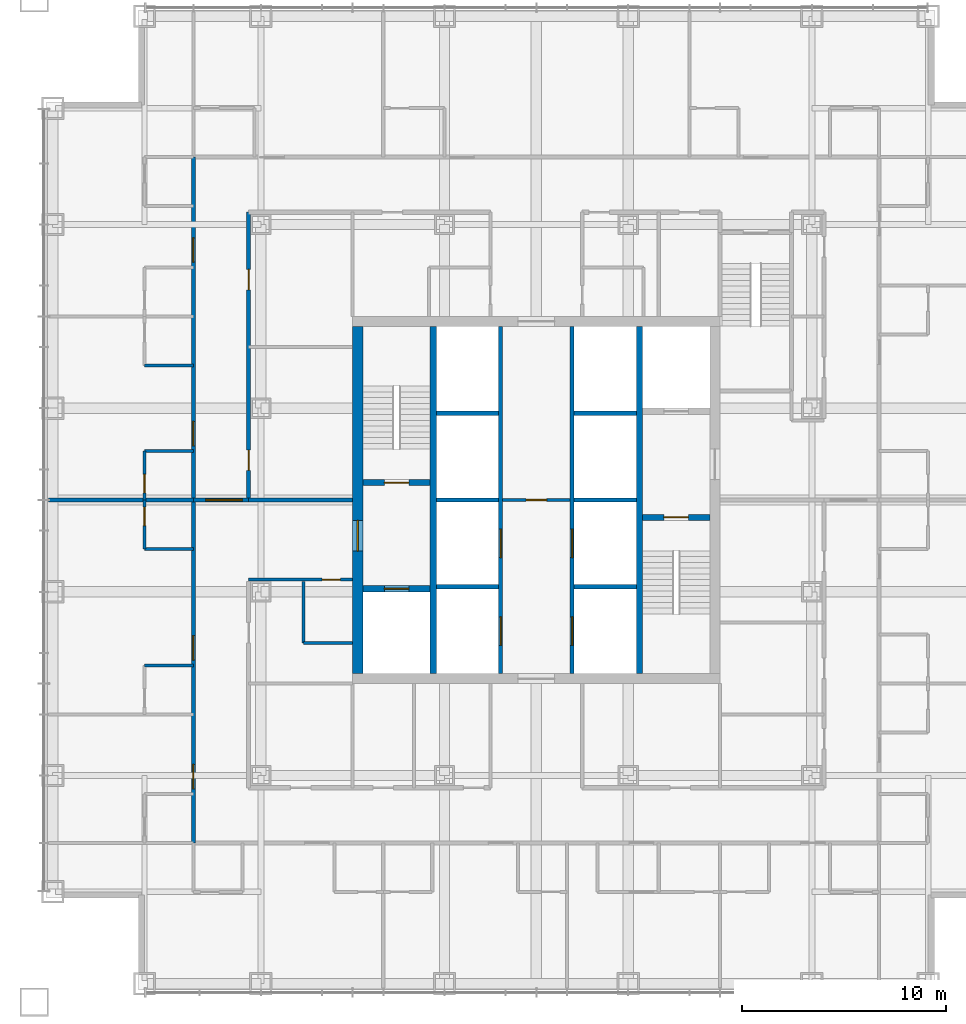
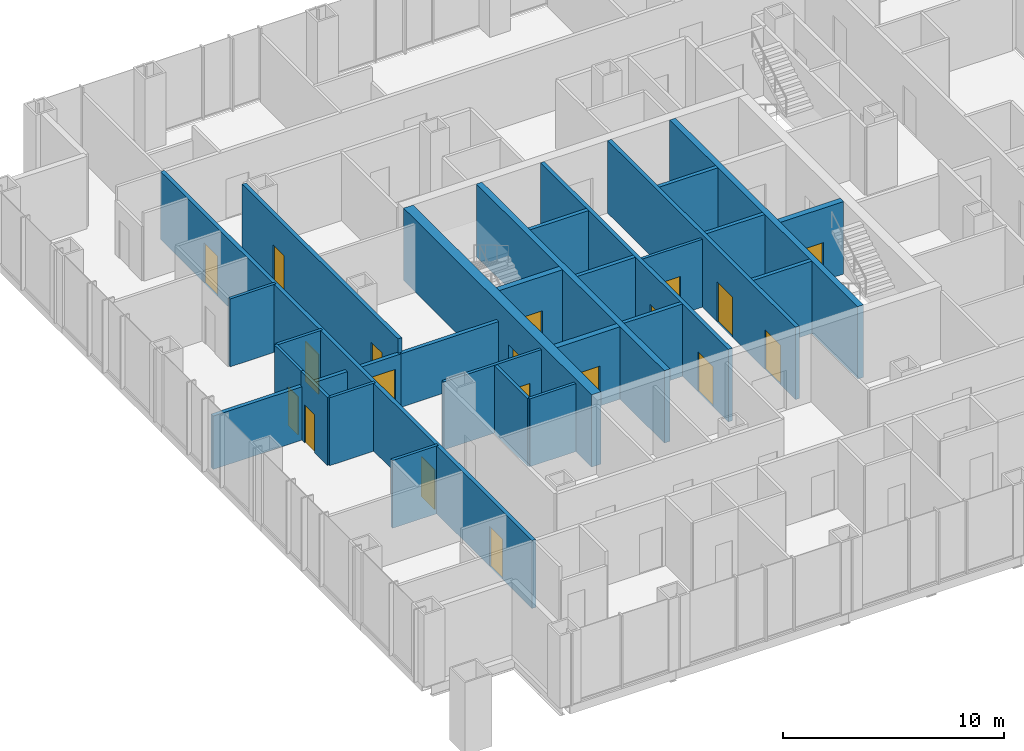
# One storey, part 8 of 12: 29 walls, 19 doors, 19 openings.
"""IFC4 building model written with IfcOpenShell, lengths in metres."""

from ifc_helpers import new_model, si_unit, direction, frame, frame_2d, origin, place, context, subcontext, project, spatial, rectangle, extrude, material, layer, layer_set, type_object, element, fill, save


model = new_model("IFC4")

# Units and contexts
model_context = context("Model", 3, precision=1e-05, world=origin(), true_north=direction((0.0, 1.0)))
body_context = subcontext(model_context, "Body", "Model", "MODEL_VIEW")
ifc_project = project(units=[si_unit("LENGTHUNIT", "METRE"), si_unit("AREAUNIT", "SQUARE_METRE"), si_unit("VOLUMEUNIT", "CUBIC_METRE"), si_unit("PLANEANGLEUNIT", "RADIAN"), si_unit("MASSUNIT", "GRAM", prefix="KILO")], contexts=[model_context])

# Site, building, storey
site_placement = place(None, origin())
site = spatial("IfcSite", under=ifc_project, at=site_placement, CompositionType="ELEMENT")
building_placement = place(site_placement, origin())
building = spatial("IfcBuilding", under=site, at=building_placement, Name="Malebo Sky Hospital", CompositionType="ELEMENT")
storey_placement = place(building_placement, frame((0.0, 0.0, 136.0)))
storey = spatial("IfcBuildingStorey", under=building, at=storey_placement, Name="L32", CompositionType="ELEMENT", Elevation=136.0)

# Wall, openings, doors
ifc_material_1 = material(Name="Concrete C80/95", Category="concrete")
ifc_layer_1 = layer(ifc_material_1, 0.199951171875)
ifc_layer_set_1 = layer_set([ifc_layer_1], Name="CORE INNER WALL 200")
wall_type_1 = type_object("IfcWallType", Name="CORE INNER WALL 200", PredefinedType="SHEAR", material=ifc_layer_set_1)
wall_1_placement = place(storey_placement, frame((58.25, 53.5, 0.0), z_axis=(0.0, 0.0, 1.0), x_axis=(0.0, 1.0, 0.0)))
wall_1 = element("IfcWall", 1, at=wall_1_placement, inside=storey, type_object=wall_type_1, Name="Core wall LW L32", PredefinedType="SHEAR", context=body_context, shape_type="SweptSolid", body=[
    extrude(rectangle(XDim=17.0, YDim=0.199951171875, at=frame_2d((8.5, 0.0))), origin(), (0.0, 0.0, 1.0), 4.0),
])
opening_1_placement = place(wall_1_placement, frame((1.375, 0.0, 0.0)))
opening_1 = element("IfcOpeningElement", 2, at=opening_1_placement, cuts=wall_1, Name="Opening LD1", PredefinedType="OPENING", context=body_context, shape_type="SweptSolid", body=[
    extrude(rectangle(XDim=1.39990234375, YDim=2.199951171875, at=frame_2d((0.699951171875, 1.10009765625))), frame((0.0, 0.10986328125, 0.0), z_axis=(0.0, -1.0, 0.0), x_axis=(1.0, 0.0, 0.0)), (0.0, 0.0, 1.0), 0.219970703125),
])
opening_2_placement = place(wall_1_placement, frame((5.675048828125, 0.0, 0.0)))
opening_2 = element("IfcOpeningElement", 3, at=opening_2_placement, cuts=wall_1, Name="Opening LD1", PredefinedType="OPENING", context=body_context, shape_type="SweptSolid", body=[
    extrude(rectangle(XDim=1.39990234375, YDim=2.199951171875, at=frame_2d((0.699951171875, 1.10009765625))), frame((0.0, 0.10986328125, 0.0), z_axis=(0.0, -1.0, 0.0), x_axis=(1.0, 0.0, 0.0)), (0.0, 0.0, 1.0), 0.219970703125),
])
ifc_material_2 = material(Name="Stainless steel sliding landing door", Category="steel")
door_type_1 = type_object("IfcDoorType", Name="LIFT LANDING DOOR 1400", OperationType="SLIDING_TO_LEFT", PredefinedType="DOOR", material=ifc_material_2)
door_1_placement = place(opening_1_placement, origin())
door_1 = element("IfcDoor", 4, at=door_1_placement, inside=storey, type_object=door_type_1, Name="Lift W1 landing door", OperationType="SLIDING_TO_LEFT", OverallHeight=2.199951171875, OverallWidth=1.39990234375, PredefinedType="DOOR", context=body_context, shape_type="SweptSolid", body=[
    extrude(rectangle(XDim=1.39990234375, YDim=2.199951171875, at=frame_2d((0.699951171875, 1.10009765625))), frame((0.0, 0.02490234375, 0.0), z_axis=(0.0, -1.0, 0.0), x_axis=(1.0, 0.0, 0.0)), (0.0, 0.0, 1.0), 0.050048828125),
])
fill(opening_1, door_1)
door_2_placement = place(opening_2_placement, origin())
door_2 = element("IfcDoor", 5, at=door_2_placement, inside=storey, type_object=door_type_1, Name="Lift W2 landing door", OperationType="SLIDING_TO_LEFT", OverallHeight=2.199951171875, OverallWidth=1.39990234375, PredefinedType="DOOR", context=body_context, shape_type="SweptSolid", body=[
    extrude(rectangle(XDim=1.39990234375, YDim=2.199951171875, at=frame_2d((0.699951171875, 1.10009765625))), frame((0.0, 0.02490234375, 0.0), z_axis=(0.0, -1.0, 0.0), x_axis=(1.0, 0.0, 0.0)), (0.0, 0.0, 1.0), 0.050048828125),
])
fill(opening_2, door_2)

wall_2_placement = place(storey_placement, frame((61.75, 53.5, 0.0), z_axis=(0.0, 0.0, 1.0), x_axis=(0.0, 1.0, 0.0)))
wall_2 = element("IfcWall", 6, at=wall_2_placement, inside=storey, type_object=wall_type_1, Name="Core wall LE L32", PredefinedType="SHEAR", context=body_context, shape_type="SweptSolid", body=[
    extrude(rectangle(XDim=17.0, YDim=0.199951171875, at=frame_2d((8.5, 0.0))), origin(), (0.0, 0.0, 1.0), 4.0),
])
opening_3_placement = place(wall_2_placement, frame((1.375, 0.0, 0.0)))
opening_3 = element("IfcOpeningElement", 7, at=opening_3_placement, cuts=wall_2, Name="Opening LD1", PredefinedType="OPENING", context=body_context, shape_type="SweptSolid", body=[
    extrude(rectangle(XDim=1.39990234375, YDim=2.199951171875, at=frame_2d((0.699951171875, 1.10009765625))), frame((0.0, 0.10986328125, 0.0), z_axis=(0.0, -1.0, 0.0), x_axis=(1.0, 0.0, 0.0)), (0.0, 0.0, 1.0), 0.219970703125),
])
opening_4_placement = place(wall_2_placement, frame((5.675048828125, 0.0, 0.0)))
opening_4 = element("IfcOpeningElement", 8, at=opening_4_placement, cuts=wall_2, Name="Opening LD1", PredefinedType="OPENING", context=body_context, shape_type="SweptSolid", body=[
    extrude(rectangle(XDim=1.39990234375, YDim=2.199951171875, at=frame_2d((0.699951171875, 1.10009765625))), frame((0.0, 0.10986328125, 0.0), z_axis=(0.0, -1.0, 0.0), x_axis=(1.0, 0.0, 0.0)), (0.0, 0.0, 1.0), 0.219970703125),
])
door_3_placement = place(opening_3_placement, origin())
door_3 = element("IfcDoor", 9, at=door_3_placement, inside=storey, type_object=door_type_1, Name="Lift E1 landing door", OperationType="SLIDING_TO_LEFT", OverallHeight=2.199951171875, OverallWidth=1.39990234375, PredefinedType="DOOR", context=body_context, shape_type="SweptSolid", body=[
    extrude(rectangle(XDim=1.39990234375, YDim=2.199951171875, at=frame_2d((0.699951171875, 1.10009765625))), frame((0.0, 0.02490234375, 0.0), z_axis=(0.0, -1.0, 0.0), x_axis=(1.0, 0.0, 0.0)), (0.0, 0.0, 1.0), 0.050048828125),
])
fill(opening_3, door_3)
door_4_placement = place(opening_4_placement, origin())
door_4 = element("IfcDoor", 10, at=door_4_placement, inside=storey, type_object=door_type_1, Name="Lift E2 landing door", OperationType="SLIDING_TO_LEFT", OverallHeight=2.199951171875, OverallWidth=1.39990234375, PredefinedType="DOOR", context=body_context, shape_type="SweptSolid", body=[
    extrude(rectangle(XDim=1.39990234375, YDim=2.199951171875, at=frame_2d((0.699951171875, 1.10009765625))), frame((0.0, 0.02490234375, 0.0), z_axis=(0.0, -1.0, 0.0), x_axis=(1.0, 0.0, 0.0)), (0.0, 0.0, 1.0), 0.050048828125),
])
fill(opening_4, door_4)

# Walls
for number, where, z_axis, x_axis, name in (
    (11, (55.10009765625, 57.75, 0.0), (0.0, 0.0, 1.0), (1.0, 0.0, 0.0), "Core wall SW0 L32"),
    (12, (61.85009765625, 57.75, 0.0), (0.0, 0.0, 1.0), (1.0, 0.0, 0.0), "Core wall SE0 L32"),
    (13, (55.10009765625, 62.0, 0.0), (0.0, 0.0, 1.0), (1.0, 0.0, 0.0), "Core wall SW1 L32"),
    (14, (61.85009765625, 62.0, 0.0), (0.0, 0.0, 1.0), (1.0, 0.0, 0.0), "Core wall SE1 L32"),
    (15, (55.10009765625, 66.25, 0.0), (0.0, 0.0, 1.0), (1.0, 0.0, 0.0), "Core wall SW2 L32"),
    (16, (61.85009765625, 66.25, 0.0), (0.0, 0.0, 1.0), (1.0, 0.0, 0.0), "Core wall SE2 L32"),
):
    element("IfcWall", number, at=place(storey_placement, frame(where, z_axis=z_axis, x_axis=x_axis)), inside=storey, type_object=wall_type_1, Name=name, PredefinedType="SHEAR", context=body_context, shape_type="SweptSolid", body=[
        extrude(rectangle(XDim=3.0498046875, YDim=0.199951171875, at=frame_2d((1.52490234375, 0.0))), origin(), (0.0, 0.0, 1.0), 4.0),
    ])
ifc_layer_2 = layer(ifc_material_1, 0.300048828125)
ifc_layer_set_2 = layer_set([ifc_layer_2], Name="CORE INNER WALL 300")
wall_type_2 = type_object("IfcWallType", Name="CORE INNER WALL 300", PredefinedType="SHEAR", material=ifc_layer_set_2)
for number, where, z_axis, x_axis, name in (
    (17, (54.949951171875, 53.5, 0.0), (0.0, 0.0, 1.0), (0.0, 1.0, 0.0), "Core wall XW L32"),
    (18, (65.050048828125, 53.5, 0.0), (0.0, 0.0, 1.0), (0.0, 1.0, 0.0), "Core wall XE L32"),
):
    element("IfcWall", number, at=place(storey_placement, frame(where, z_axis=z_axis, x_axis=x_axis)), inside=storey, type_object=wall_type_2, Name=name, PredefinedType="SHEAR", context=body_context, shape_type="SweptSolid", body=[
        extrude(rectangle(XDim=17.0, YDim=0.300048828125, at=frame_2d((8.5, 0.0))), origin(), (0.0, 0.0, 1.0), 4.0),
    ])

# Wall, opening, door
wall_3_placement = place(storey_placement, frame((51.5, 62.85009765625, 0.0), z_axis=(0.0, 0.0, 1.0), x_axis=(1.0, 0.0, 0.0)))
wall_3 = element("IfcWall", 19, at=wall_3_placement, inside=storey, type_object=wall_type_2, Name="Core wall W1 L32", PredefinedType="SHEAR", context=body_context, shape_type="SweptSolid", body=[
    extrude(rectangle(XDim=3.300048828125, YDim=0.300048828125, at=frame_2d((1.64990234375, 0.0))), origin(), (0.0, 0.0, 1.0), 4.0),
])
opening_5_placement = place(wall_3_placement, frame((1.050048828125, 0.0, 0.0)))
opening_5 = element("IfcOpeningElement", 20, at=opening_5_placement, cuts=wall_3, Name="Opening D08", PredefinedType="OPENING", context=body_context, shape_type="SweptSolid", body=[
    extrude(rectangle(XDim=1.199951171875, YDim=2.10009765625, at=frame_2d((0.60009765625, 1.050048828125))), frame((0.0, 0.159912109375, 0.0), z_axis=(0.0, -1.0, 0.0), x_axis=(1.0, 0.0, 0.0)), (0.0, 0.0, 1.0), 0.320068359375),
])
ifc_material_3 = material(Name="Hardwood-faced door leaf in steel frame", Category="steel")
door_type_2 = type_object("IfcDoorType", Name="STAIR DOOR 1200", OperationType="SINGLE_SWING_LEFT", PredefinedType="DOOR", material=ifc_material_3)
door_5_placement = place(opening_5_placement, origin())
door_5 = element("IfcDoor", 21, at=door_5_placement, inside=storey, type_object=door_type_2, Name="Stair S1 door", OperationType="SINGLE_SWING_LEFT", OverallHeight=2.10009765625, OverallWidth=1.199951171875, PredefinedType="DOOR", context=body_context, shape_type="SweptSolid", body=[
    extrude(rectangle(XDim=1.199951171875, YDim=2.10009765625, at=frame_2d((0.60009765625, 1.050048828125))), frame((0.0, 0.02490234375, 0.0), z_axis=(0.0, -1.0, 0.0), x_axis=(1.0, 0.0, 0.0)), (0.0, 0.0, 1.0), 0.050048828125),
])
fill(opening_5, door_5)

wall_4_placement = place(storey_placement, frame((51.5, 57.64990234375, 0.0), z_axis=(0.0, 0.0, 1.0), x_axis=(1.0, 0.0, 0.0)))
wall_4 = element("IfcWall", 22, at=wall_4_placement, inside=storey, type_object=wall_type_2, Name="Core wall W2 L32", PredefinedType="SHEAR", context=body_context, shape_type="SweptSolid", body=[
    extrude(rectangle(XDim=3.300048828125, YDim=0.300048828125, at=frame_2d((1.64990234375, 0.0))), origin(), (0.0, 0.0, 1.0), 4.0),
])
opening_6_placement = place(wall_4_placement, frame((1.050048828125, 0.0, 0.0)))
opening_6 = element("IfcOpeningElement", 23, at=opening_6_placement, cuts=wall_4, Name="Opening LD2", PredefinedType="OPENING", context=body_context, shape_type="SweptSolid", body=[
    extrude(rectangle(XDim=1.199951171875, YDim=2.199951171875, at=frame_2d((0.60009765625, 1.10009765625))), frame((0.0, 0.159912109375, 0.0), z_axis=(0.0, -1.0, 0.0), x_axis=(1.0, 0.0, 0.0)), (0.0, 0.0, 1.0), 0.320068359375),
])
door_type_3 = type_object("IfcDoorType", Name="FIRE-FIGHTING LIFT LANDING DOOR 1200", OperationType="SLIDING_TO_LEFT", PredefinedType="DOOR", material=ifc_material_2)
door_6_placement = place(opening_6_placement, origin())
door_6 = element("IfcDoor", 24, at=door_6_placement, inside=storey, type_object=door_type_3, Name="Lift FL1 landing door", OperationType="SLIDING_TO_LEFT", OverallHeight=2.199951171875, OverallWidth=1.199951171875, PredefinedType="DOOR", context=body_context, shape_type="SweptSolid", body=[
    extrude(rectangle(XDim=1.199951171875, YDim=2.199951171875, at=frame_2d((0.60009765625, 1.10009765625))), frame((0.0, 0.02490234375, 0.0), z_axis=(0.0, -1.0, 0.0), x_axis=(1.0, 0.0, 0.0)), (0.0, 0.0, 1.0), 0.050048828125),
])
fill(opening_6, door_6)

wall_5_placement = place(storey_placement, frame((65.199951171875, 61.14990234375, 0.0), z_axis=(0.0, 0.0, 1.0), x_axis=(1.0, 0.0, 0.0)))
wall_5 = element("IfcWall", 25, at=wall_5_placement, inside=storey, type_object=wall_type_2, Name="Core wall E1 L32", PredefinedType="SHEAR", context=body_context, shape_type="SweptSolid", body=[
    extrude(rectangle(XDim=3.300048828125, YDim=0.300048828125, at=frame_2d((1.64990234375, 0.0))), origin(), (0.0, 0.0, 1.0), 4.0),
])
opening_7_placement = place(wall_5_placement, frame((1.050048828125, 0.0, 0.0)))
opening_7 = element("IfcOpeningElement", 26, at=opening_7_placement, cuts=wall_5, Name="Opening D08", PredefinedType="OPENING", context=body_context, shape_type="SweptSolid", body=[
    extrude(rectangle(XDim=1.199951171875, YDim=2.10009765625, at=frame_2d((0.60009765625, 1.050048828125))), frame((0.0, 0.159912109375, 0.0), z_axis=(0.0, -1.0, 0.0), x_axis=(1.0, 0.0, 0.0)), (0.0, 0.0, 1.0), 0.320068359375),
])
door_7_placement = place(opening_7_placement, origin())
door_7 = element("IfcDoor", 27, at=door_7_placement, inside=storey, type_object=door_type_2, Name="Stair S2 door", OperationType="SINGLE_SWING_LEFT", OverallHeight=2.10009765625, OverallWidth=1.199951171875, PredefinedType="DOOR", context=body_context, shape_type="SweptSolid", body=[
    extrude(rectangle(XDim=1.199951171875, YDim=2.10009765625, at=frame_2d((0.60009765625, 1.050048828125))), frame((0.0, 0.02490234375, 0.0), z_axis=(0.0, -1.0, 0.0), x_axis=(1.0, 0.0, 0.0)), (0.0, 0.0, 1.0), 0.050048828125),
])
fill(opening_7, door_7)

ifc_layer_3 = layer(ifc_material_1, 0.5)
ifc_layer_set_3 = layer_set([ifc_layer_3], Name="CORE WALL 500")
wall_type_3 = type_object("IfcWallType", Name="CORE WALL 500", PredefinedType="SHEAR", material=ifc_layer_set_3)
wall_6_placement = place(storey_placement, frame((51.25, 53.5, 0.0), z_axis=(0.0, 0.0, 1.0), x_axis=(0.0, 1.0, 0.0)))
wall_6 = element("IfcWall", 28, at=wall_6_placement, inside=storey, type_object=wall_type_3, Name="Core wall W L32", PredefinedType="SHEAR", context=body_context, shape_type="SweptSolid", body=[
    extrude(rectangle(XDim=17.0, YDim=0.5, at=frame_2d((8.5, 0.0))), origin(), (0.0, 0.0, 1.0), 4.0),
])
opening_8_placement = place(wall_6_placement, frame((6.0, 0.0, 0.0)))
opening_8 = element("IfcOpeningElement", 29, at=opening_8_placement, cuts=wall_6, Name="Opening D07", PredefinedType="OPENING", context=body_context, shape_type="SweptSolid", body=[
    extrude(rectangle(XDim=1.5, YDim=2.199951171875, at=frame_2d((0.75, 1.10009765625))), frame((0.0, 0.260009765625, 0.0), z_axis=(0.0, -1.0, 0.0), x_axis=(1.0, 0.0, 0.0)), (0.0, 0.0, 1.0), 0.52001953125),
])
door_type_4 = type_object("IfcDoorType", Name="FIRE-FIGHTING LOBBY DOOR PAIR 1500", OperationType="DOUBLE_DOOR_SINGLE_SWING", PredefinedType="DOOR", material=ifc_material_3)
door_8_placement = place(opening_8_placement, origin())
door_8 = element("IfcDoor", 30, at=door_8_placement, inside=storey, type_object=door_type_4, Name="Fire-fighting lobby door west", OperationType="DOUBLE_DOOR_SINGLE_SWING", OverallHeight=2.199951171875, OverallWidth=1.5, PredefinedType="DOOR", context=body_context, shape_type="SweptSolid", body=[
    extrude(rectangle(XDim=1.5, YDim=2.199951171875, at=frame_2d((0.75, 1.10009765625))), frame((0.0, 0.02490234375, 0.0), z_axis=(0.0, -1.0, 0.0), x_axis=(1.0, 0.0, 0.0)), (0.0, 0.0, 1.0), 0.050048828125),
])
fill(opening_8, door_8)

# Wall, openings, doors
ifc_material_4 = material(Name="Gypsum board on steel studs", Category="steel")
ifc_layer_4 = layer(ifc_material_4, 0.199951171875)
ifc_layer_set_4 = layer_set([ifc_layer_4], Name="CORRIDOR WALL 200")
wall_type_4 = type_object("IfcWallType", Name="CORRIDOR WALL 200", PredefinedType="PARTITIONING", material=ifc_layer_set_4)
wall_7_placement = place(storey_placement, frame((43.199951171875, 45.199951171875, 0.0), z_axis=(0.0, 0.0, 1.0), x_axis=(0.0, 1.0, 0.0)))
wall_7 = element("IfcWall", 31, at=wall_7_placement, inside=storey, type_object=wall_type_4, Name="Corridor Wall 200 WCO", PredefinedType="PARTITIONING", context=body_context, shape_type="SweptSolid", body=[
    extrude(rectangle(XDim=33.60009765625, YDim=0.199951171875, at=frame_2d((16.800048828125, 0.0))), origin(), (0.0, 0.0, 1.0), 3.75),
])
opening_9_placement = place(wall_7_placement, frame((2.64990234375, 0.0, 0.0)))
opening_9 = element("IfcOpeningElement", 32, at=opening_9_placement, cuts=wall_7, Name="Opening D01", PredefinedType="OPENING", context=body_context, shape_type="SweptSolid", body=[
    extrude(rectangle(XDim=1.199951171875, YDim=2.199951171875, at=frame_2d((0.60009765625, 1.10009765625))), frame((0.0, 0.10986328125, 0.0), z_axis=(0.0, -1.0, 0.0), x_axis=(1.0, 0.0, 0.0)), (0.0, 0.0, 1.0), 0.219970703125),
])
opening_10_placement = place(wall_7_placement, frame((8.949951171875, 0.0, 0.0)))
opening_10 = element("IfcOpeningElement", 33, at=opening_10_placement, cuts=wall_7, Name="Opening D01", PredefinedType="OPENING", context=body_context, shape_type="SweptSolid", body=[
    extrude(rectangle(XDim=1.199951171875, YDim=2.199951171875, at=frame_2d((0.60009765625, 1.10009765625))), frame((0.0, 0.10986328125, 0.0), z_axis=(0.0, -1.0, 0.0), x_axis=(1.0, 0.0, 0.0)), (0.0, 0.0, 1.0), 0.219970703125),
])
opening_11_placement = place(wall_7_placement, frame((19.449951171875, 0.0, 0.0)))
opening_11 = element("IfcOpeningElement", 34, at=opening_11_placement, cuts=wall_7, Name="Opening D01", PredefinedType="OPENING", context=body_context, shape_type="SweptSolid", body=[
    extrude(rectangle(XDim=1.199951171875, YDim=2.199951171875, at=frame_2d((0.60009765625, 1.10009765625))), frame((0.0, 0.10986328125, 0.0), z_axis=(0.0, -1.0, 0.0), x_axis=(1.0, 0.0, 0.0)), (0.0, 0.0, 1.0), 0.219970703125),
])
opening_12_placement = place(wall_7_placement, frame((28.449951171875, 0.0, 0.0)))
opening_12 = element("IfcOpeningElement", 35, at=opening_12_placement, cuts=wall_7, Name="Opening D01", PredefinedType="OPENING", context=body_context, shape_type="SweptSolid", body=[
    extrude(rectangle(XDim=1.199951171875, YDim=2.199951171875, at=frame_2d((0.60009765625, 1.10009765625))), frame((0.0, 0.10986328125, 0.0), z_axis=(0.0, -1.0, 0.0), x_axis=(1.0, 0.0, 0.0)), (0.0, 0.0, 1.0), 0.219970703125),
])
door_type_5 = type_object("IfcDoorType", Name="BED DOOR 1200", OperationType="SINGLE_SWING_LEFT", PredefinedType="DOOR", material=ifc_material_3)
door_9_placement = place(opening_9_placement, origin())
door_9 = element("IfcDoor", 36, at=door_9_placement, inside=storey, type_object=door_type_5, Name="Single bed room door", OperationType="SINGLE_SWING_LEFT", OverallHeight=2.199951171875, OverallWidth=1.199951171875, PredefinedType="DOOR", context=body_context, shape_type="SweptSolid", body=[
    extrude(rectangle(XDim=1.199951171875, YDim=2.199951171875, at=frame_2d((0.60009765625, 1.10009765625))), frame((0.0, 0.02490234375, 0.0), z_axis=(0.0, -1.0, 0.0), x_axis=(1.0, 0.0, 0.0)), (0.0, 0.0, 1.0), 0.050048828125),
])
fill(opening_9, door_9)
door_10_placement = place(opening_10_placement, origin())
door_10 = element("IfcDoor", 37, at=door_10_placement, inside=storey, type_object=door_type_5, Name="Four-bed bay door", OperationType="SINGLE_SWING_LEFT", OverallHeight=2.199951171875, OverallWidth=1.199951171875, PredefinedType="DOOR", context=body_context, shape_type="SweptSolid", body=[
    extrude(rectangle(XDim=1.199951171875, YDim=2.199951171875, at=frame_2d((0.60009765625, 1.10009765625))), frame((0.0, 0.02490234375, 0.0), z_axis=(0.0, -1.0, 0.0), x_axis=(1.0, 0.0, 0.0)), (0.0, 0.0, 1.0), 0.050048828125),
])
fill(opening_10, door_10)
door_11_placement = place(opening_11_placement, origin())
door_11 = element("IfcDoor", 38, at=door_11_placement, inside=storey, type_object=door_type_5, Name="Four-bed bay door", OperationType="SINGLE_SWING_LEFT", OverallHeight=2.199951171875, OverallWidth=1.199951171875, PredefinedType="DOOR", context=body_context, shape_type="SweptSolid", body=[
    extrude(rectangle(XDim=1.199951171875, YDim=2.199951171875, at=frame_2d((0.60009765625, 1.10009765625))), frame((0.0, 0.02490234375, 0.0), z_axis=(0.0, -1.0, 0.0), x_axis=(1.0, 0.0, 0.0)), (0.0, 0.0, 1.0), 0.050048828125),
])
fill(opening_11, door_11)
door_12_placement = place(opening_12_placement, origin())
door_12 = element("IfcDoor", 39, at=door_12_placement, inside=storey, type_object=door_type_5, Name="Four-bed bay door", OperationType="SINGLE_SWING_LEFT", OverallHeight=2.199951171875, OverallWidth=1.199951171875, PredefinedType="DOOR", context=body_context, shape_type="SweptSolid", body=[
    extrude(rectangle(XDim=1.199951171875, YDim=2.199951171875, at=frame_2d((0.60009765625, 1.10009765625))), frame((0.0, 0.02490234375, 0.0), z_axis=(0.0, -1.0, 0.0), x_axis=(1.0, 0.0, 0.0)), (0.0, 0.0, 1.0), 0.050048828125),
])
fill(opening_12, door_12)

wall_8_placement = place(storey_placement, frame((45.89990234375, 62.0, 0.0), z_axis=(0.0, 0.0, 1.0), x_axis=(0.0, 1.0, 0.0)))
wall_8 = element("IfcWall", 40, at=wall_8_placement, inside=storey, type_object=wall_type_4, Name="Corridor Wall 200 WCI2", PredefinedType="PARTITIONING", context=body_context, shape_type="SweptSolid", body=[
    extrude(rectangle(XDim=14.10009765625, YDim=0.199951171875, at=frame_2d((7.050048828125, 0.0))), origin(), (0.0, 0.0, 1.0), 3.75),
])
opening_13_placement = place(wall_8_placement, frame((1.449951171875, 0.0, 0.0)))
opening_13 = element("IfcOpeningElement", 41, at=opening_13_placement, cuts=wall_8, Name="Opening D03", PredefinedType="OPENING", context=body_context, shape_type="SweptSolid", body=[
    extrude(rectangle(XDim=1.0, YDim=2.10009765625, at=frame_2d((0.5, 1.050048828125))), frame((0.0, 0.10986328125, 0.0), z_axis=(0.0, -1.0, 0.0), x_axis=(1.0, 0.0, 0.0)), (0.0, 0.0, 1.0), 0.219970703125),
])
opening_14_placement = place(wall_8_placement, frame((10.300048828125, 0.0, 0.0)))
opening_14 = element("IfcOpeningElement", 42, at=opening_14_placement, cuts=wall_8, Name="Opening D03", PredefinedType="OPENING", context=body_context, shape_type="SweptSolid", body=[
    extrude(rectangle(XDim=1.0, YDim=2.10009765625, at=frame_2d((0.5, 1.050048828125))), frame((0.0, 0.10986328125, 0.0), z_axis=(0.0, -1.0, 0.0), x_axis=(1.0, 0.0, 0.0)), (0.0, 0.0, 1.0), 0.219970703125),
])
door_type_6 = type_object("IfcDoorType", Name="ROOM DOOR 1000", OperationType="SINGLE_SWING_LEFT", PredefinedType="DOOR", material=ifc_material_3)
door_13_placement = place(opening_13_placement, origin())
door_13 = element("IfcDoor", 43, at=door_13_placement, inside=storey, type_object=door_type_6, Name="Nurse station door", OperationType="SINGLE_SWING_LEFT", OverallHeight=2.10009765625, OverallWidth=1.0, PredefinedType="DOOR", context=body_context, shape_type="SweptSolid", body=[
    extrude(rectangle(XDim=1.0, YDim=2.10009765625, at=frame_2d((0.5, 1.050048828125))), frame((0.0, 0.02490234375, 0.0), z_axis=(0.0, -1.0, 0.0), x_axis=(1.0, 0.0, 0.0)), (0.0, 0.0, 1.0), 0.050048828125),
])
fill(opening_13, door_13)
door_14_placement = place(opening_14_placement, origin())
door_14 = element("IfcDoor", 44, at=door_14_placement, inside=storey, type_object=door_type_6, Name="Treatment room door", OperationType="SINGLE_SWING_RIGHT", OverallHeight=2.10009765625, OverallWidth=1.0, PredefinedType="DOOR", context=body_context, shape_type="SweptSolid", body=[
    extrude(rectangle(XDim=1.0, YDim=2.10009765625, at=frame_2d((0.5, 1.050048828125))), frame((0.0, 0.02490234375, 0.0), z_axis=(0.0, -1.0, 0.0), x_axis=(1.0, 0.0, 0.0)), (0.0, 0.0, 1.0), 0.050048828125),
])
fill(opening_14, door_14)

# Wall
ifc_layer_5 = layer(ifc_material_4, 0.14990234375)
ifc_layer_set_5 = layer_set([ifc_layer_5], Name="PARTITION 150")
wall_type_5 = type_object("IfcWallType", Name="PARTITION 150", PredefinedType="PARTITIONING", material=ifc_layer_set_5)
wall_9_placement = place(storey_placement, frame((43.199951171875, 53.89990234375, 0.0), z_axis=(0.0, 0.0, 1.0), x_axis=(-1.0, 0.0, 0.0)))
element("IfcWall", 45, at=wall_9_placement, inside=storey, type_object=wall_type_5, Name="Partition 150 WE1S", PredefinedType="PARTITIONING", context=body_context, shape_type="SweptSolid", body=[
    extrude(rectangle(XDim=2.39990234375, YDim=0.14990234375, at=frame_2d((1.199951171875, 0.0))), origin(), (0.0, 0.0, 1.0), 3.75),
])

# Wall, opening, door
wall_10_placement = place(storey_placement, frame((40.800048828125, 59.60009765625, 0.0), z_axis=(0.0, 0.0, 1.0), x_axis=(0.0, 1.0, 0.0)))
wall_10 = element("IfcWall", 46, at=wall_10_placement, inside=storey, type_object=wall_type_5, Name="Partition 150 WG1F", PredefinedType="PARTITIONING", context=body_context, shape_type="SweptSolid", body=[
    extrude(rectangle(XDim=2.39990234375, YDim=0.14990234375, at=frame_2d((1.199951171875, 0.0))), origin(), (0.0, 0.0, 1.0), 3.75),
])
opening_15_placement = place(wall_10_placement, frame((1.14990234375, 0.0, 0.0)))
opening_15 = element("IfcOpeningElement", 47, at=opening_15_placement, cuts=wall_10, Name="Opening D02", PredefinedType="OPENING", context=body_context, shape_type="SweptSolid", body=[
    extrude(rectangle(XDim=0.89990234375, YDim=2.10009765625, at=frame_2d((0.449951171875, 1.050048828125))), frame((0.0, 0.0849609375, 0.0), z_axis=(0.0, -1.0, 0.0), x_axis=(1.0, 0.0, 0.0)), (0.0, 0.0, 1.0), 0.169921875),
])
door_type_7 = type_object("IfcDoorType", Name="EN-SUITE DOOR 900", OperationType="SINGLE_SWING_LEFT", PredefinedType="DOOR", material=ifc_material_3)
door_15_placement = place(opening_15_placement, origin())
door_15 = element("IfcDoor", 48, at=door_15_placement, inside=storey, type_object=door_type_7, Name="En-suite door", OperationType="SINGLE_SWING_RIGHT", OverallHeight=2.10009765625, OverallWidth=0.89990234375, PredefinedType="DOOR", context=body_context, shape_type="SweptSolid", body=[
    extrude(rectangle(XDim=0.89990234375, YDim=2.10009765625, at=frame_2d((0.449951171875, 1.050048828125))), frame((0.0, 0.02490234375, 0.0), z_axis=(0.0, -1.0, 0.0), x_axis=(1.0, 0.0, 0.0)), (0.0, 0.0, 1.0), 0.050048828125),
])
fill(opening_15, door_15)

# Wall
wall_11_placement = place(storey_placement, frame((43.199951171875, 59.60009765625, 0.0), z_axis=(0.0, 0.0, 1.0), x_axis=(-1.0, 0.0, 0.0)))
element("IfcWall", 49, at=wall_11_placement, inside=storey, type_object=wall_type_5, Name="Partition 150 WG1S", PredefinedType="PARTITIONING", context=body_context, shape_type="SweptSolid", body=[
    extrude(rectangle(XDim=2.39990234375, YDim=0.14990234375, at=frame_2d((1.199951171875, 0.0))), origin(), (0.0, 0.0, 1.0), 3.75),
])

# Wall, opening, door
wall_12_placement = place(storey_placement, frame((40.800048828125, 62.0, 0.0), z_axis=(0.0, 0.0, 1.0), x_axis=(0.0, 1.0, 0.0)))
wall_12 = element("IfcWall", 50, at=wall_12_placement, inside=storey, type_object=wall_type_5, Name="Partition 150 WE2F", PredefinedType="PARTITIONING", context=body_context, shape_type="SweptSolid", body=[
    extrude(rectangle(XDim=2.39990234375, YDim=0.14990234375, at=frame_2d((1.199951171875, 0.0))), origin(), (0.0, 0.0, 1.0), 3.75),
])
opening_16_placement = place(wall_12_placement, frame((0.35009765625, 0.0, 0.0)))
opening_16 = element("IfcOpeningElement", 51, at=opening_16_placement, cuts=wall_12, Name="Opening D02", PredefinedType="OPENING", context=body_context, shape_type="SweptSolid", body=[
    extrude(rectangle(XDim=0.89990234375, YDim=2.10009765625, at=frame_2d((0.449951171875, 1.050048828125))), frame((0.0, 0.0849609375, 0.0), z_axis=(0.0, -1.0, 0.0), x_axis=(1.0, 0.0, 0.0)), (0.0, 0.0, 1.0), 0.169921875),
])
door_16_placement = place(opening_16_placement, origin())
door_16 = element("IfcDoor", 52, at=door_16_placement, inside=storey, type_object=door_type_7, Name="En-suite door", OperationType="SINGLE_SWING_LEFT", OverallHeight=2.10009765625, OverallWidth=0.89990234375, PredefinedType="DOOR", context=body_context, shape_type="SweptSolid", body=[
    extrude(rectangle(XDim=0.89990234375, YDim=2.10009765625, at=frame_2d((0.449951171875, 1.050048828125))), frame((0.0, 0.02490234375, 0.0), z_axis=(0.0, -1.0, 0.0), x_axis=(1.0, 0.0, 0.0)), (0.0, 0.0, 1.0), 0.050048828125),
])
fill(opening_16, door_16)

# Walls
for number, where, z_axis, x_axis, name in (
    (53, (43.199951171875, 64.39990234375, 0.0), (0.0, 0.0, 1.0), (-1.0, 0.0, 0.0), "Partition 150 WE2S"),
    (54, (43.199951171875, 68.60009765625, 0.0), (0.0, 0.0, 1.0), (-1.0, 0.0, 0.0), "Partition 150 WG2S"),
):
    element("IfcWall", number, at=place(storey_placement, frame(where, z_axis=z_axis, x_axis=x_axis)), inside=storey, type_object=wall_type_5, Name=name, PredefinedType="PARTITIONING", context=body_context, shape_type="SweptSolid", body=[
        extrude(rectangle(XDim=2.39990234375, YDim=0.14990234375, at=frame_2d((1.199951171875, 0.0))), origin(), (0.0, 0.0, 1.0), 3.75),
    ])

# Wall, opening, door
wall_13_placement = place(storey_placement, frame((51.0, 58.10009765625, 0.0), z_axis=(0.0, 0.0, 1.0), x_axis=(-1.0, 0.0, 0.0)))
wall_13 = element("IfcWall", 55, at=wall_13_placement, inside=storey, type_object=wall_type_5, Name="Partition 150 WSPA", PredefinedType="PARTITIONING", context=body_context, shape_type="SweptSolid", body=[
    extrude(rectangle(XDim=5.10009765625, YDim=0.14990234375, at=frame_2d((2.550048828125, 0.0))), origin(), (0.0, 0.0, 1.0), 3.75),
])
opening_17_placement = place(wall_13_placement, frame((0.60009765625, 0.0, 0.0)))
opening_17 = element("IfcOpeningElement", 56, at=opening_17_placement, cuts=wall_13, Name="Opening D04", PredefinedType="OPENING", context=body_context, shape_type="SweptSolid", body=[
    extrude(rectangle(XDim=0.89990234375, YDim=2.10009765625, at=frame_2d((0.449951171875, 1.050048828125))), frame((0.0, 0.0849609375, 0.0), z_axis=(0.0, -1.0, 0.0), x_axis=(1.0, 0.0, 0.0)), (0.0, 0.0, 1.0), 0.169921875),
])
door_type_8 = type_object("IfcDoorType", Name="ROOM DOOR 900", OperationType="SINGLE_SWING_LEFT", PredefinedType="DOOR", material=ifc_material_3)
door_17_placement = place(opening_17_placement, origin())
door_17 = element("IfcDoor", 57, at=door_17_placement, inside=storey, type_object=door_type_8, Name="Cleaner's room door", OperationType="SINGLE_SWING_LEFT", OverallHeight=2.10009765625, OverallWidth=0.89990234375, PredefinedType="DOOR", context=body_context, shape_type="SweptSolid", body=[
    extrude(rectangle(XDim=0.89990234375, YDim=2.10009765625, at=frame_2d((0.449951171875, 1.050048828125))), frame((0.0, 0.02490234375, 0.0), z_axis=(0.0, -1.0, 0.0), x_axis=(1.0, 0.0, 0.0)), (0.0, 0.0, 1.0), 0.050048828125),
])
fill(opening_17, door_17)

# Walls
wall_14_placement = place(storey_placement, frame((48.60009765625, 55.0, 0.0), z_axis=(0.0, 0.0, 1.0), x_axis=(0.0, 1.0, 0.0)))
element("IfcWall", 58, at=wall_14_placement, inside=storey, type_object=wall_type_5, Name="Partition 150 WSX0", PredefinedType="PARTITIONING", context=body_context, shape_type="SweptSolid", body=[
    extrude(rectangle(XDim=3.0, YDim=0.14990234375, at=frame_2d((1.5, 0.0))), origin(), (0.0, 0.0, 1.0), 3.75),
])
wall_15_placement = place(storey_placement, frame((51.0, 55.0, 0.0), z_axis=(0.0, 0.0, 1.0), x_axis=(-1.0, 0.0, 0.0)))
element("IfcWall", 59, at=wall_15_placement, inside=storey, type_object=wall_type_5, Name="Partition 150 WSY0", PredefinedType="PARTITIONING", context=body_context, shape_type="SweptSolid", body=[
    extrude(rectangle(XDim=2.39990234375, YDim=0.14990234375, at=frame_2d((1.199951171875, 0.0))), origin(), (0.0, 0.0, 1.0), 3.75),
])

# Wall, opening, door
wall_16_placement = place(storey_placement, frame((58.35009765625, 62.0, 0.0), z_axis=(0.0, 0.0, 1.0), x_axis=(1.0, 0.0, 0.0)))
wall_16 = element("IfcWall", 60, at=wall_16_placement, inside=storey, type_object=wall_type_5, Name="Partition 150 LBN", PredefinedType="PARTITIONING", context=body_context, shape_type="SweptSolid", body=[
    extrude(rectangle(XDim=3.2998046875, YDim=0.14990234375, at=frame_2d((1.64990234375, 0.0))), origin(), (0.0, 0.0, 1.0), 3.75),
])
opening_18_placement = place(wall_16_placement, frame((1.14990234375, 0.0, 0.0)))
opening_18 = element("IfcOpeningElement", 61, at=opening_18_placement, cuts=wall_16, Name="Opening D03", PredefinedType="OPENING", context=body_context, shape_type="SweptSolid", body=[
    extrude(rectangle(XDim=1.0, YDim=2.10009765625, at=frame_2d((0.5, 1.050048828125))), frame((0.0, 0.0849609375, 0.0), z_axis=(0.0, -1.0, 0.0), x_axis=(1.0, 0.0, 0.0)), (0.0, 0.0, 1.0), 0.169921875),
])
door_18_placement = place(opening_18_placement, origin())
door_18 = element("IfcDoor", 62, at=door_18_placement, inside=storey, type_object=door_type_6, Name="Linen store door", OperationType="SINGLE_SWING_LEFT", OverallHeight=2.10009765625, OverallWidth=1.0, PredefinedType="DOOR", context=body_context, shape_type="SweptSolid", body=[
    extrude(rectangle(XDim=1.0, YDim=2.10009765625, at=frame_2d((0.5, 1.050048828125))), frame((0.0, 0.02490234375, 0.0), z_axis=(0.0, -1.0, 0.0), x_axis=(1.0, 0.0, 0.0)), (0.0, 0.0, 1.0), 0.050048828125),
])
fill(opening_18, door_18)

# Walls
ifc_material_5 = material(Name="Concrete blockwork", Category="masonry")
ifc_layer_6 = layer(ifc_material_5, 0.199951171875)
ifc_layer_set_6 = layer_set([ifc_layer_6], Name="SMOKE BARRIER WALL 200")
wall_type_6 = type_object("IfcWallType", Name="SMOKE BARRIER WALL 200", PredefinedType="SOLIDWALL", material=ifc_layer_set_6)
wall_17_placement = place(storey_placement, frame((43.199951171875, 62.0, 0.0), z_axis=(0.0, 0.0, 1.0), x_axis=(-1.0, 0.0, 0.0)))
element("IfcWall", 63, at=wall_17_placement, inside=storey, type_object=wall_type_6, Name="Smoke Barrier Wall 200 WP+0.0", PredefinedType="SOLIDWALL", context=body_context, shape_type="SweptSolid", body=[
    extrude(rectangle(XDim=7.10986328125, YDim=0.199951171875, at=frame_2d((3.554931640625, 0.0))), origin(), (0.0, 0.0, 1.0), 2.949951171875),
])
wall_18_placement = place(storey_placement, frame((51.0, 62.0, 0.0), z_axis=(0.0, 0.0, 1.0), x_axis=(-1.0, 0.0, 0.0)))
element("IfcWall", 64, at=wall_18_placement, inside=storey, type_object=wall_type_6, Name="Smoke Barrier Wall 200 WSPB", PredefinedType="SOLIDWALL", context=body_context, shape_type="SweptSolid", body=[
    extrude(rectangle(XDim=5.10009765625, YDim=0.199951171875, at=frame_2d((2.550048828125, 0.0))), origin(), (0.0, 0.0, 1.0), 2.949951171875),
])

# Wall, opening, door
wall_19_placement = place(storey_placement, frame((45.89990234375, 62.0, 0.0), z_axis=(0.0, 0.0, 1.0), x_axis=(-1.0, 0.0, 0.0)))
wall_19 = element("IfcWall", 65, at=wall_19_placement, inside=storey, type_object=wall_type_6, Name="Smoke Barrier Wall 200 WSB", PredefinedType="SOLIDWALL", context=body_context, shape_type="SweptSolid", body=[
    extrude(rectangle(XDim=2.699951171875, YDim=0.199951171875, at=frame_2d((1.35009765625, 0.0))), origin(), (0.0, 0.0, 1.0), 2.949951171875),
])
opening_19_placement = place(wall_19_placement, frame((0.300048828125, 0.0, 0.0)))
opening_19 = element("IfcOpeningElement", 66, at=opening_19_placement, cuts=wall_19, Name="Opening D05", PredefinedType="OPENING", context=body_context, shape_type="SweptSolid", body=[
    extrude(rectangle(XDim=1.800048828125, YDim=2.199951171875, at=frame_2d((0.89990234375, 1.10009765625))), frame((0.0, 0.10986328125, 0.0), z_axis=(0.0, -1.0, 0.0), x_axis=(1.0, 0.0, 0.0)), (0.0, 0.0, 1.0), 0.219970703125),
])
door_type_9 = type_object("IfcDoorType", Name="SMOKE DOOR PAIR 1800", OperationType="DOUBLE_DOOR_DOUBLE_SWING", PredefinedType="DOOR", material=ifc_material_3)
door_19_placement = place(opening_19_placement, origin())
door_19 = element("IfcDoor", 67, at=door_19_placement, inside=storey, type_object=door_type_9, Name="Smoke compartment door pair", OperationType="DOUBLE_DOOR_DOUBLE_SWING", OverallHeight=2.199951171875, OverallWidth=1.800048828125, PredefinedType="DOOR", context=body_context, shape_type="SweptSolid", body=[
    extrude(rectangle(XDim=1.800048828125, YDim=2.199951171875, at=frame_2d((0.89990234375, 1.10009765625))), frame((0.0, 0.02490234375, 0.0), z_axis=(0.0, -1.0, 0.0), x_axis=(1.0, 0.0, 0.0)), (0.0, 0.0, 1.0), 0.050048828125),
])
fill(opening_19, door_19)

save(model, "model.ifc")
